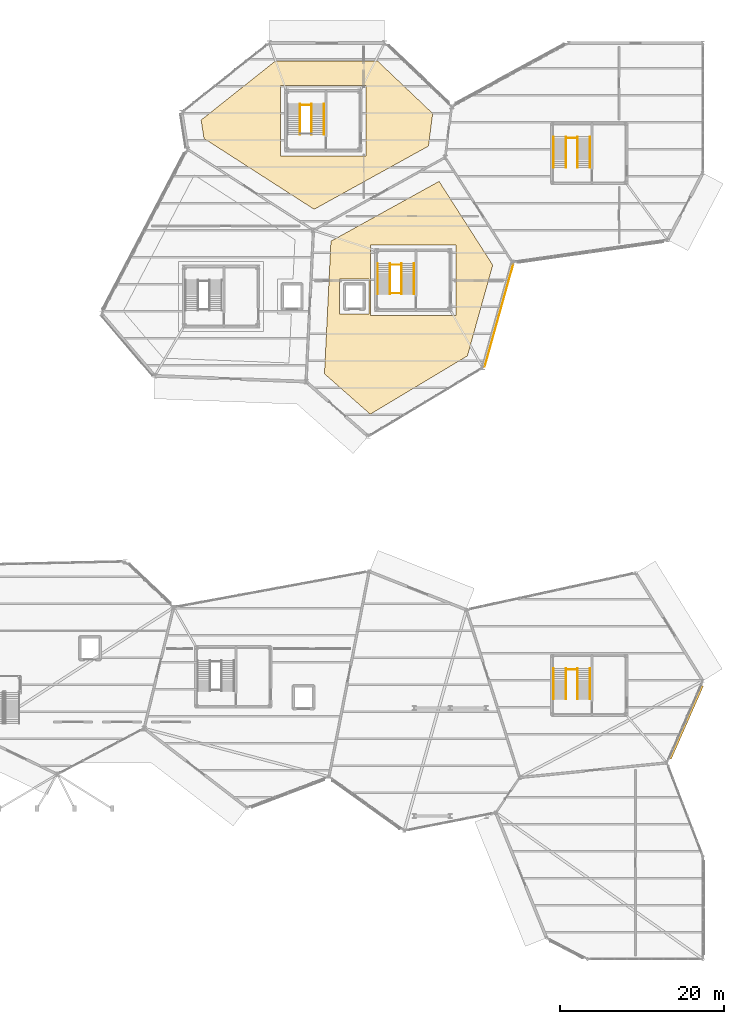
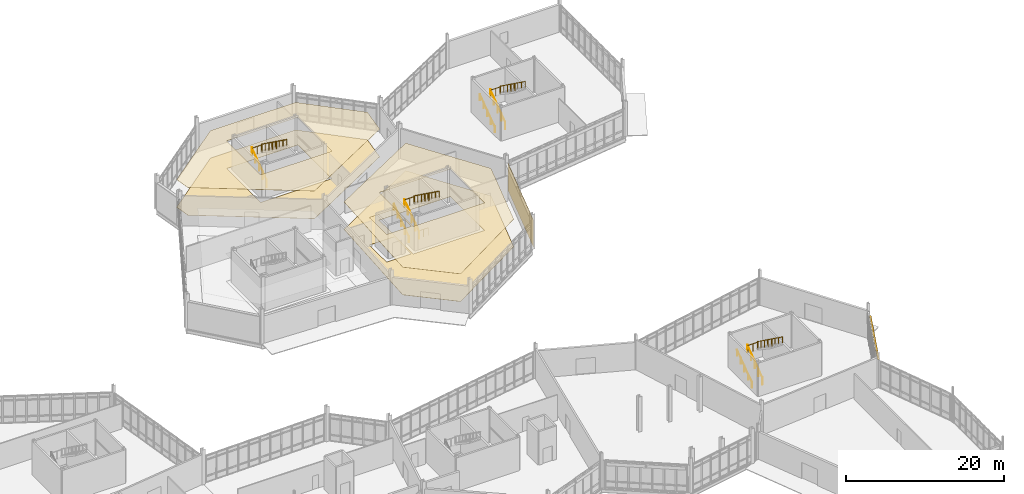
# One storey, part 113 of 113: 20 railings, 5 coverings, 1 shading device.
"""IFC4 building model written with IfcOpenShell, lengths in metres."""

import ifcopenshell
import ifcopenshell.guid

model = None  # the IFC model being written
_history = None  # IfcOwnerHistory: only IFC2X3 demands one
_inside = {}  # id of a spatial element -> (the spatial element, [elements in it])
_under = {}  # id of a project, library or spatial element -> (it, [spatial elements below it])
_declared = {}  # id of a project -> (the project, [libraries it declares])
_typed = {}  # id of a type object -> (the type object, [elements of that type])
_made_of = {}  # id of a material, layer set ... -> (it, [elements and type objects made of it])


def new_model(schema):
    """Start an empty IFC model of exactly this schema.

    Asked for "IFC4X3", IfcOpenShell would pick the latest addendum, in which some entities
    have other attributes; the version numbers below select the first issue.
    IFC2X3 requires an IfcOwnerHistory on every rooted entity: one is made here for all.
    """
    global model, _history
    if schema == "IFC4X3":
        model = ifcopenshell.file(schema_version=(4, 3, 0, 0))
    else:
        model = ifcopenshell.file(schema=schema)
    _inside.clear()
    _under.clear()
    _declared.clear()
    _typed.clear()
    _made_of.clear()
    _history = None
    if model.schema == "IFC2X3":
        org = make("IfcOrganization", Name="unknown")
        user = make(
            "IfcPersonAndOrganization",
            ThePerson=make("IfcPerson", FamilyName="unknown"),
            TheOrganization=org,
        )
        app = make(
            "IfcApplication",
            ApplicationDeveloper=org,
            Version="unknown",
            ApplicationFullName="unknown",
            ApplicationIdentifier="unknown",
        )
        _history = make(
            "IfcOwnerHistory",
            OwningUser=user,
            OwningApplication=app,
            ChangeAction="ADDED",
            CreationDate=0,
        )
    return model


def make(cls, **values):
    """One entity of the class cls with the attributes given. An attribute that is None is left unset."""
    return model.create_entity(
        cls, **{name: value for name, value in values.items() if value is not None}
    )


def rooted(cls, **values):
    """An entity with a GlobalId (a new one), such as an element, a storey or a relation."""
    return make(cls, GlobalId=ifcopenshell.guid.new(), OwnerHistory=_history, **values)


def si_unit(unit_type, name, prefix=None):
    """IfcSIUnit, for example si_unit("LENGTHUNIT", "METRE", prefix="MILLI")."""
    return make("IfcSIUnit", UnitType=unit_type, Prefix=prefix, Name=name)


def assignment(units):
    """IfcUnitAssignment: the units of a project."""
    return None if units is None else make("IfcUnitAssignment", Units=units)


def point(xyz):
    """IfcCartesianPoint."""
    return None if xyz is None else make("IfcCartesianPoint", Coordinates=xyz)


def direction(xyz):
    """IfcDirection."""
    return None if xyz is None else make("IfcDirection", DirectionRatios=xyz)


def frame(location, z_axis=None, x_axis=None):
    """IfcAxis2Placement3D, a coordinate frame: its origin and axes. An axis left out is left unset."""
    return make(
        "IfcAxis2Placement3D",
        Location=point(location),
        Axis=direction(z_axis),
        RefDirection=direction(x_axis),
    )


def frame_2d(location, x_axis=None):
    """IfcAxis2Placement2D, a coordinate frame in the plane: its origin and x axis."""
    return make(
        "IfcAxis2Placement2D", Location=point(location), RefDirection=direction(x_axis)
    )


def origin():
    """The frame at (0, 0, 0) with its axes left unset."""
    return frame((0.0, 0.0, 0.0))


def origin_2d():
    """The frame at (0, 0) in the plane with its x axis left unset."""
    return frame_2d((0.0, 0.0))


def place(relative_to, where):
    """IfcLocalPlacement: puts the frame where relative to a parent placement (None: the world)."""
    return make(
        "IfcLocalPlacement", PlacementRelTo=relative_to, RelativePlacement=where
    )


def context(
    kind, dimensions, precision=None, world=None, true_north=None, identifier=None
):
    """IfcGeometricRepresentationContext, for example the 3D "Model" context."""
    return make(
        "IfcGeometricRepresentationContext",
        ContextIdentifier=identifier,
        ContextType=kind,
        CoordinateSpaceDimension=dimensions,
        Precision=precision,
        WorldCoordinateSystem=world,
        TrueNorth=true_north,
    )


def subcontext(parent, identifier, kind, view, scale=None):
    """IfcGeometricRepresentationSubContext, for example "Body" below "Model"."""
    return make(
        "IfcGeometricRepresentationSubContext",
        ContextIdentifier=identifier,
        ContextType=kind,
        ParentContext=parent,
        TargetScale=scale,
        TargetView=view,
    )


def project(units=None, contexts=None):
    """IfcProject with its units and contexts."""
    return rooted(
        "IfcProject",
        Name="project",
        RepresentationContexts=contexts,
        UnitsInContext=assignment(units),
    )


def spatial(cls, under=None, at=None, **own):
    """A site, building, storey or space (cls), placed at a placement, below another one or the project."""
    s = rooted(cls, ObjectPlacement=at, **own)
    if under is not None:
        _under.setdefault(under.id(), (under, []))[1].append(s)
    return s


def polyline(points):
    """IfcPolyline through the points."""
    return make("IfcPolyline", Points=[point(p) for p in points])


def profile(cls, at=None, kind="AREA", **sizes):
    """A parametric profile (cls). Its sizes go by their IFC names, for example OverallWidth=200.0."""
    return make(cls, ProfileType=kind, Position=at, **sizes)


def rectangle(**sizes):
    """IfcRectangleProfileDef."""
    return profile("IfcRectangleProfileDef", **sizes)


def circle(**sizes):
    """IfcCircleProfileDef."""
    return profile("IfcCircleProfileDef", **sizes)


def outline(outer, holes=None, kind="AREA"):
    """IfcArbitraryClosedProfileDef: a profile drawn as a closed curve; with holes, ...WithVoids."""
    if holes is None:
        return make("IfcArbitraryClosedProfileDef", ProfileType=kind, OuterCurve=outer)
    return make(
        "IfcArbitraryProfileDefWithVoids",
        ProfileType=kind,
        OuterCurve=outer,
        InnerCurves=holes,
    )


def extrude(swept, where, along, depth):
    """IfcExtrudedAreaSolid: the profile swept, set in the frame where, extruded along a direction by depth."""
    return make(
        "IfcExtrudedAreaSolid",
        SweptArea=swept,
        Position=where,
        ExtrudedDirection=direction(along),
        Depth=depth,
    )


def shape(context_of_items, identifier, shape_type, items):
    """IfcShapeRepresentation: the items that make up one representation, for example the "Body"."""
    return make(
        "IfcShapeRepresentation",
        ContextOfItems=context_of_items,
        RepresentationIdentifier=identifier,
        RepresentationType=shape_type,
        Items=items,
    )


def material(Name=None, Category=None):
    """IfcMaterial."""
    return make("IfcMaterial", Name=Name, Category=Category)


def layer(
    of_material, thickness, ventilated=None, Name=None, Category=None, Priority=None
):
    """IfcMaterialLayer: one layer of a wall or slab, of a material (None: an air gap)."""
    return make(
        "IfcMaterialLayer",
        Material=of_material,
        LayerThickness=thickness,
        IsVentilated=ventilated,
        Name=Name,
        Category=Category,
        Priority=Priority,
    )


def layer_set(layers, Name=None):
    """IfcMaterialLayerSet."""
    return make("IfcMaterialLayerSet", MaterialLayers=layers, LayerSetName=Name)


def made_of(thing, what):
    """Note that an element or type object is made of a material, layer set ...; save() writes the relation."""
    if what is not None:
        _made_of.setdefault(what.id(), (what, []))[1].append(thing)
    return thing


def type_object(cls, material=None, **own):
    """A type object (cls), such as IfcWallType, which elements share."""
    return made_of(rooted(cls, **own), material)


def element(
    cls,
    number,
    at=None,
    inside=None,
    cuts=None,
    type_object=None,
    material=None,
    context=None,
    identifier="Body",
    shape_type=None,
    held_by="IfcProductDefinitionShape",
    body=None,
    shapes=None,
    **own,
):
    """One element of the class cls, such as IfcWall. Its Tag is "e" and its number.

    at: its placement. inside: the storey or other place that contains it. cuts: it is an
    opening in that element (IfcRelVoidsElement). A single representation is given by context,
    identifier, shape_type and body (its items); several are given by shapes. held_by: the class
    of the entity that holds the representations. save() writes the other relations.
    """
    e = rooted(cls, Tag="e%d" % number, ObjectPlacement=at, **own)
    if body is not None:
        shapes = [shape(context, identifier, shape_type, body)]
    if shapes is not None:
        e.Representation = make(held_by, Representations=shapes)
    if inside is not None:
        _inside.setdefault(inside.id(), (inside, []))[1].append(e)
    if cuts is not None:
        rooted(
            "IfcRelVoidsElement", RelatingBuildingElement=cuts, RelatedOpeningElement=e
        )
    if type_object is not None:
        _typed.setdefault(type_object.id(), (type_object, []))[1].append(e)
    return made_of(e, material)


def aggregate(whole, parts):
    """IfcRelAggregates: a whole, such as a stair, and the parts it consists of."""
    return rooted("IfcRelAggregates", RelatingObject=whole, RelatedObjects=parts)


def save(model, path):
    """Write the relations noted so far, then the file.

    IfcRelAggregates (storeys below a building ...), IfcRelContainedInSpatialStructure (elements
    in a storey), IfcRelDefinesByType, IfcRelAssociatesMaterial and IfcRelDeclares: one each for
    every whole, place, type object, material and project.
    """
    for whole, parts in _under.values():
        aggregate(whole, parts)
    for where, things in _inside.values():
        rooted(
            "IfcRelContainedInSpatialStructure",
            RelatedElements=things,
            RelatingStructure=where,
        )
    for kind, things in _typed.values():
        rooted("IfcRelDefinesByType", RelatedObjects=things, RelatingType=kind)
    for what, things in _made_of.values():
        rooted("IfcRelAssociatesMaterial", RelatedObjects=things, RelatingMaterial=what)
    for by, libraries in _declared.values():
        rooted("IfcRelDeclares", RelatingContext=by, RelatedDefinitions=libraries)
    model.write(path)


model = new_model("IFC4")

# Units and contexts
model_context = context("Model", 3, precision=1e-05, world=origin(), true_north=direction((0.0, 1.0)))
body_context = subcontext(model_context, "Body", "Model", "MODEL_VIEW")
ifc_project = project(units=[si_unit("LENGTHUNIT", "METRE"), si_unit("AREAUNIT", "SQUARE_METRE"), si_unit("VOLUMEUNIT", "CUBIC_METRE"), si_unit("PLANEANGLEUNIT", "RADIAN"), si_unit("MASSUNIT", "GRAM", prefix="KILO")], contexts=[model_context])

# Site, building, storey
site_placement = place(None, origin())
site = spatial("IfcSite", under=ifc_project, at=site_placement, CompositionType="ELEMENT")
building_placement = place(site_placement, origin())
building = spatial("IfcBuilding", under=site, at=building_placement, Name="Tameran Prism Museum", CompositionType="ELEMENT")
storey_placement = place(building_placement, origin())
storey = spatial("IfcBuildingStorey", under=building, at=storey_placement, Name="L00", CompositionType="ELEMENT", Elevation=0.0)

# Coverings
ifc_material_1 = material(Name="Perforated Acoustic Timber Slat Ceiling", Category="wood")
ifc_layer_1 = layer(ifc_material_1, 0.034912109375)
ifc_layer_set_1 = layer_set([ifc_layer_1])
covering_type_1 = type_object("IfcCoveringType", Name="CV-CEIL-AC", PredefinedType="CEILING", material=ifc_layer_set_1)
covering_1_placement = place(storey_placement, frame((0.0, 0.0, 4.25)))
element("IfcCovering", 1, at=covering_1_placement, inside=storey, type_object=covering_type_1, Name="Acoustic Gallery Ceiling CLG-02", PredefinedType="CEILING", context=body_context, shape_type="SweptSolid", body=[
    extrude(outline(polyline([(120.93798828125, 87.76806640625), (134.159912109375, 95.076904296875), (140.716064453125, 84.843017578125), (137.616943359375, 73.736083984375), (125.748046875, 66.614013671875), (120.14892578125, 71.550048828125), (120.93798828125, 87.76806640625)]), holes=[polyline([(125.60009765625, 78.85009765625), (125.60009765625, 83.14990234375), (122.0, 83.14990234375), (122.0, 78.85009765625), (125.60009765625, 78.85009765625)]), polyline([(136.199951171875, 87.300048828125), (125.800048828125, 87.300048828125), (125.800048828125, 78.699951171875), (136.199951171875, 78.699951171875), (136.199951171875, 87.300048828125)])]), origin(), (0.0, 0.0, 1.0), 0.034912109375),
])
covering_2_placement = place(storey_placement, frame((0.0, 0.0, 4.25)))
element("IfcCovering", 2, at=covering_2_placement, inside=storey, type_object=covering_type_1, Name="Acoustic Gallery Ceiling CLG-03", PredefinedType="CEILING", context=body_context, shape_type="SweptSolid", body=[
    extrude(outline(polyline([(105.071044921875, 102.572998046875), (114.1669921875, 109.800048828125), (126.62109375, 109.800048828125), (133.375, 103.375), (132.861083984375, 99.385986328125), (118.885009765625, 91.660888671875), (105.422119140625, 100.31591796875), (105.071044921875, 102.572998046875)]), holes=[polyline([(125.199951171875, 98.199951171875), (125.199951171875, 106.800048828125), (114.800048828125, 106.800048828125), (114.800048828125, 98.199951171875), (125.199951171875, 98.199951171875)])]), origin(), (0.0, 0.0, 1.0), 0.034912109375),
])
ifc_material_2 = material(Name="Honed Porcellanite Terrazzo Flooring")
ifc_layer_2 = layer(ifc_material_2, 0.030029296875)
ifc_layer_set_2 = layer_set([ifc_layer_2])
covering_type_2 = type_object("IfcCoveringType", Name="CV-FLR-TER", PredefinedType="FLOORING", material=ifc_layer_set_2)
covering_3_placement = place(storey_placement, origin())
element("IfcCovering", 3, at=covering_3_placement, inside=storey, type_object=covering_type_2, Name="Porcellanite Terrazzo Floor FLR-02", PredefinedType="FLOORING", context=body_context, shape_type="SweptSolid", body=[
    extrude(outline(polyline([(120.93798828125, 87.76806640625), (134.159912109375, 95.076904296875), (140.716064453125, 84.843017578125), (137.616943359375, 73.736083984375), (125.748046875, 66.614013671875), (120.14892578125, 71.550048828125), (120.93798828125, 87.76806640625)]), holes=[polyline([(125.60009765625, 78.85009765625), (125.60009765625, 83.14990234375), (122.0, 83.14990234375), (122.0, 78.85009765625), (125.60009765625, 78.85009765625)]), polyline([(136.199951171875, 87.300048828125), (125.800048828125, 87.300048828125), (125.800048828125, 78.699951171875), (136.199951171875, 78.699951171875), (136.199951171875, 87.300048828125)])]), origin(), (0.0, 0.0, 1.0), 0.030029296875),
])
covering_4_placement = place(storey_placement, origin())
element("IfcCovering", 4, at=covering_4_placement, inside=storey, type_object=covering_type_2, Name="Porcellanite Terrazzo Floor FLR-03", PredefinedType="FLOORING", context=body_context, shape_type="SweptSolid", body=[
    extrude(outline(polyline([(105.071044921875, 102.572998046875), (114.1669921875, 109.800048828125), (126.62109375, 109.800048828125), (133.375, 103.375), (132.861083984375, 99.385986328125), (118.885009765625, 91.660888671875), (105.422119140625, 100.31591796875), (105.071044921875, 102.572998046875)]), holes=[polyline([(125.199951171875, 98.199951171875), (125.199951171875, 106.800048828125), (114.800048828125, 106.800048828125), (114.800048828125, 98.199951171875), (125.199951171875, 98.199951171875)])]), origin(), (0.0, 0.0, 1.0), 0.030029296875),
])
ifc_material_3 = material(Name="White Fluted Mineral Precast GRC", Category="concrete")
ifc_layer_3 = layer(ifc_material_3, 0.044921875)
ifc_layer_set_3 = layer_set([ifc_layer_3])
covering_type_3 = type_object("IfcCoveringType", Name="CV-FLUTE-WHT", PredefinedType="CLADDING", material=ifc_layer_set_3)
covering_5_placement = place(storey_placement, frame((143.218994140625, 84.91796875, 0.050048828125), z_axis=(0.0, 0.0, 1.0), x_axis=(-0.268857839587, -0.963179870062, 0.0)))
element("IfcCovering", 5, at=covering_5_placement, inside=storey, type_object=covering_type_3, Name="Vertical Fluted White Precast Panel CL-0002", PredefinedType="CLADDING", context=body_context, shape_type="SweptSolid", body=[
    extrude(rectangle(XDim=12.9736328125, YDim=0.044921875, at=frame_2d((6.48681640625, 0.0))), origin(), (0.0, 0.0, 1.0), 4.119873046875),
])

# Railings
ifc_material_4 = material(Name="Marine Stainless Steel 316", Category="steel")
ifc_layer_4 = layer(ifc_material_4, 0.054931640625)
ifc_layer_set_4 = layer_set([ifc_layer_4])
railing_type_1 = type_object("IfcRailingType", Name="RL-GR-1120", PredefinedType="GUARDRAIL", material=ifc_layer_set_4)
railing_1_placement = place(storey_placement, frame((128.18994140625, 81.39990234375, 0.0)))
element("IfcRailing", 6, at=railing_1_placement, inside=storey, type_object=railing_type_1, Name="Stair Well Slot Guard GR-S032", PredefinedType="GUARDRAIL", context=body_context, shape_type="SweptSolid", body=[
    extrude(circle(Radius=0.02392578125, at=origin_2d()), frame((0.0, 0.0, 1.1259765625), z_axis=(1.0, 0.0, 0.0), x_axis=(0.0, 1.0, 0.0)), (0.0, 0.0, 1.0), 1.3701171875),
    extrude(circle(Radius=0.02099609375, at=origin_2d()), origin(), (0.0, 0.0, 1.0), 1.101806640625),
    extrude(circle(Radius=0.02099609375, at=origin_2d()), frame((0.68505859375, 0.0, 0.0)), (0.0, 0.0, 1.0), 1.101806640625),
    extrude(circle(Radius=0.02099609375, at=origin_2d()), frame((1.3701171875, 0.0, 0.0)), (0.0, 0.0, 1.0), 1.101806640625),
])
railing_2_placement = place(storey_placement, frame((128.169921875, 81.280029296875, 0.0)))
element("IfcRailing", 7, at=railing_2_placement, inside=storey, type_object=railing_type_1, Name="Stair Well Guardrail GR-S033", PredefinedType="GUARDRAIL", context=body_context, shape_type="SweptSolid", body=[
    extrude(circle(Radius=0.02392578125, at=origin_2d()), frame((0.0, 0.0, 1.1259765625), z_axis=(0.0, 0.811539352079, 0.584297766578), x_axis=(-1.0, 0.0, 0.0)), (0.0, 0.0, 1.0), 4.620849609375),
    extrude(circle(Radius=0.02099609375, at=origin_2d()), origin(), (0.0, 0.0, 1.0), 1.101806640625),
    extrude(circle(Radius=0.02099609375, at=origin_2d()), frame((0.0, 0.9375, 0.675048828125)), (0.0, 0.0, 1.0), 1.101806640625),
    extrude(circle(Radius=0.02099609375, at=origin_2d()), frame((0.0, 1.875, 1.35009765625)), (0.0, 0.0, 1.0), 1.101806640625),
    extrude(circle(Radius=0.02099609375, at=origin_2d()), frame((0.0, 2.8125, 2.02490234375)), (0.0, 0.0, 1.0), 1.101806640625),
    extrude(circle(Radius=0.02099609375, at=origin_2d()), frame((0.0, 3.75, 2.699951171875)), (0.0, 0.0, 1.0), 1.101806640625),
])
railing_3_placement = place(storey_placement, frame((129.580078125, 85.030029296875, 2.699951171875)))
element("IfcRailing", 8, at=railing_3_placement, inside=storey, type_object=railing_type_1, Name="Stair Well Guardrail GR-S034", PredefinedType="GUARDRAIL", context=body_context, shape_type="SweptSolid", body=[
    extrude(circle(Radius=0.02392578125, at=origin_2d()), frame((0.0, 0.0, 1.1259765625), z_axis=(0.0, -0.811539352079, 0.584297766578), x_axis=(1.0, 0.0, 0.0)), (0.0, 0.0, 1.0), 4.620849609375),
    extrude(circle(Radius=0.02099609375, at=origin_2d()), origin(), (0.0, 0.0, 1.0), 1.101806640625),
    extrude(circle(Radius=0.02099609375, at=origin_2d()), frame((0.0, -0.9375, 0.675048828125)), (0.0, 0.0, 1.0), 1.101806640625),
    extrude(circle(Radius=0.02099609375, at=origin_2d()), frame((0.0, -1.875, 1.35009765625)), (0.0, 0.0, 1.0), 1.101806640625),
    extrude(circle(Radius=0.02099609375, at=origin_2d()), frame((0.0, -2.8125, 2.02490234375)), (0.0, 0.0, 1.0), 1.101806640625),
    extrude(circle(Radius=0.02099609375, at=origin_2d()), frame((0.0, -3.75, 2.699951171875)), (0.0, 0.0, 1.0), 1.101806640625),
])
railing_4_placement = place(storey_placement, frame((128.14990234375, 84.889892578125, 2.699951171875)))
element("IfcRailing", 9, at=railing_4_placement, inside=storey, type_object=railing_type_1, Name="Landing Well Guardrail GR-S035", PredefinedType="GUARDRAIL", context=body_context, shape_type="SweptSolid", body=[
    extrude(circle(Radius=0.02392578125, at=origin_2d()), frame((0.0, 0.0, 1.1259765625), z_axis=(1.0, 0.0, 0.0), x_axis=(0.0, 1.0, 0.0)), (0.0, 0.0, 1.0), 1.4501953125),
    extrude(circle(Radius=0.02099609375, at=origin_2d()), origin(), (0.0, 0.0, 1.0), 1.101806640625),
    extrude(circle(Radius=0.02099609375, at=origin_2d()), frame((0.72509765625, 0.0, 0.0)), (0.0, 0.0, 1.0), 1.101806640625),
    extrude(circle(Radius=0.02099609375, at=origin_2d()), frame((1.4501953125, 0.0, 0.0)), (0.0, 0.0, 1.0), 1.101806640625),
])
railing_5_placement = place(storey_placement, frame((117.169921875, 100.780029296875, 0.0)))
element("IfcRailing", 10, at=railing_5_placement, inside=storey, type_object=railing_type_1, Name="Stair Well Guardrail GR-S061", PredefinedType="GUARDRAIL", context=body_context, shape_type="SweptSolid", body=[
    extrude(circle(Radius=0.02392578125, at=origin_2d()), frame((0.0, 0.0, 1.1259765625), z_axis=(0.0, 0.811539352079, 0.584297766578), x_axis=(-1.0, 0.0, 0.0)), (0.0, 0.0, 1.0), 4.620849609375),
    extrude(circle(Radius=0.02099609375, at=origin_2d()), origin(), (0.0, 0.0, 1.0), 1.101806640625),
    extrude(circle(Radius=0.02099609375, at=origin_2d()), frame((0.0, 0.9375, 0.675048828125)), (0.0, 0.0, 1.0), 1.101806640625),
    extrude(circle(Radius=0.02099609375, at=origin_2d()), frame((0.0, 1.875, 1.35009765625)), (0.0, 0.0, 1.0), 1.101806640625),
    extrude(circle(Radius=0.02099609375, at=origin_2d()), frame((0.0, 2.8125, 2.02490234375)), (0.0, 0.0, 1.0), 1.101806640625),
    extrude(circle(Radius=0.02099609375, at=origin_2d()), frame((0.0, 3.75, 2.699951171875)), (0.0, 0.0, 1.0), 1.101806640625),
])
railing_6_placement = place(storey_placement, frame((118.580078125, 104.530029296875, 2.699951171875)))
element("IfcRailing", 11, at=railing_6_placement, inside=storey, type_object=railing_type_1, Name="Stair Well Guardrail GR-S062", PredefinedType="GUARDRAIL", context=body_context, shape_type="SweptSolid", body=[
    extrude(circle(Radius=0.02392578125, at=origin_2d()), frame((0.0, 0.0, 1.1259765625), z_axis=(0.0, -0.811539352079, 0.584297766578), x_axis=(1.0, 0.0, 0.0)), (0.0, 0.0, 1.0), 4.620849609375),
    extrude(circle(Radius=0.02099609375, at=origin_2d()), origin(), (0.0, 0.0, 1.0), 1.101806640625),
    extrude(circle(Radius=0.02099609375, at=origin_2d()), frame((0.0, -0.9375, 0.675048828125)), (0.0, 0.0, 1.0), 1.101806640625),
    extrude(circle(Radius=0.02099609375, at=origin_2d()), frame((0.0, -1.875, 1.35009765625)), (0.0, 0.0, 1.0), 1.101806640625),
    extrude(circle(Radius=0.02099609375, at=origin_2d()), frame((0.0, -2.8125, 2.02490234375)), (0.0, 0.0, 1.0), 1.101806640625),
    extrude(circle(Radius=0.02099609375, at=origin_2d()), frame((0.0, -3.75, 2.699951171875)), (0.0, 0.0, 1.0), 1.101806640625),
])
railing_7_placement = place(storey_placement, frame((117.14990234375, 104.389892578125, 2.699951171875)))
element("IfcRailing", 12, at=railing_7_placement, inside=storey, type_object=railing_type_1, Name="Landing Well Guardrail GR-S063", PredefinedType="GUARDRAIL", context=body_context, shape_type="SweptSolid", body=[
    extrude(circle(Radius=0.02392578125, at=origin_2d()), frame((0.0, 0.0, 1.1259765625), z_axis=(1.0, 0.0, 0.0), x_axis=(0.0, 1.0, 0.0)), (0.0, 0.0, 1.0), 1.4501953125),
    extrude(circle(Radius=0.02099609375, at=origin_2d()), origin(), (0.0, 0.0, 1.0), 1.101806640625),
    extrude(circle(Radius=0.02099609375, at=origin_2d()), frame((0.72509765625, 0.0, 0.0)), (0.0, 0.0, 1.0), 1.101806640625),
    extrude(circle(Radius=0.02099609375, at=origin_2d()), frame((1.4501953125, 0.0, 0.0)), (0.0, 0.0, 1.0), 1.101806640625),
])
railing_8_placement = place(storey_placement, frame((149.669921875, 96.780029296875, 0.0)))
element("IfcRailing", 13, at=railing_8_placement, inside=storey, type_object=railing_type_1, Name="Stair Well Guardrail GR-S177", PredefinedType="GUARDRAIL", context=body_context, shape_type="SweptSolid", body=[
    extrude(circle(Radius=0.02392578125, at=origin_2d()), frame((0.0, 0.0, 1.1259765625), z_axis=(0.0, 0.811539352079, 0.584297766578), x_axis=(-1.0, 0.0, 0.0)), (0.0, 0.0, 1.0), 4.620849609375),
    extrude(circle(Radius=0.02099609375, at=origin_2d()), origin(), (0.0, 0.0, 1.0), 1.101806640625),
    extrude(circle(Radius=0.02099609375, at=origin_2d()), frame((0.0, 0.9375, 0.675048828125)), (0.0, 0.0, 1.0), 1.101806640625),
    extrude(circle(Radius=0.02099609375, at=origin_2d()), frame((0.0, 1.875, 1.35009765625)), (0.0, 0.0, 1.0), 1.101806640625),
    extrude(circle(Radius=0.02099609375, at=origin_2d()), frame((0.0, 2.8125, 2.02490234375)), (0.0, 0.0, 1.0), 1.101806640625),
    extrude(circle(Radius=0.02099609375, at=origin_2d()), frame((0.0, 3.75, 2.699951171875)), (0.0, 0.0, 1.0), 1.101806640625),
])
railing_9_placement = place(storey_placement, frame((151.080078125, 100.530029296875, 2.699951171875)))
element("IfcRailing", 14, at=railing_9_placement, inside=storey, type_object=railing_type_1, Name="Stair Well Guardrail GR-S178", PredefinedType="GUARDRAIL", context=body_context, shape_type="SweptSolid", body=[
    extrude(circle(Radius=0.02392578125, at=origin_2d()), frame((0.0, 0.0, 1.1259765625), z_axis=(0.0, -0.811539352079, 0.584297766578), x_axis=(1.0, 0.0, 0.0)), (0.0, 0.0, 1.0), 4.620849609375),
    extrude(circle(Radius=0.02099609375, at=origin_2d()), origin(), (0.0, 0.0, 1.0), 1.101806640625),
    extrude(circle(Radius=0.02099609375, at=origin_2d()), frame((0.0, -0.9375, 0.675048828125)), (0.0, 0.0, 1.0), 1.101806640625),
    extrude(circle(Radius=0.02099609375, at=origin_2d()), frame((0.0, -1.875, 1.35009765625)), (0.0, 0.0, 1.0), 1.101806640625),
    extrude(circle(Radius=0.02099609375, at=origin_2d()), frame((0.0, -2.8125, 2.02490234375)), (0.0, 0.0, 1.0), 1.101806640625),
    extrude(circle(Radius=0.02099609375, at=origin_2d()), frame((0.0, -3.75, 2.699951171875)), (0.0, 0.0, 1.0), 1.101806640625),
])
railing_10_placement = place(storey_placement, frame((149.64990234375, 100.389892578125, 2.699951171875)))
element("IfcRailing", 15, at=railing_10_placement, inside=storey, type_object=railing_type_1, Name="Landing Well Guardrail GR-S179", PredefinedType="GUARDRAIL", context=body_context, shape_type="SweptSolid", body=[
    extrude(circle(Radius=0.02392578125, at=origin_2d()), frame((0.0, 0.0, 1.1259765625), z_axis=(1.0, 0.0, 0.0), x_axis=(0.0, 1.0, 0.0)), (0.0, 0.0, 1.0), 1.4501953125),
    extrude(circle(Radius=0.02099609375, at=origin_2d()), origin(), (0.0, 0.0, 1.0), 1.101806640625),
    extrude(circle(Radius=0.02099609375, at=origin_2d()), frame((0.72509765625, 0.0, 0.0)), (0.0, 0.0, 1.0), 1.101806640625),
    extrude(circle(Radius=0.02099609375, at=origin_2d()), frame((1.4501953125, 0.0, 0.0)), (0.0, 0.0, 1.0), 1.101806640625),
])
railing_11_placement = place(storey_placement, frame((149.669921875, 31.780029296875, 0.0)))
element("IfcRailing", 16, at=railing_11_placement, inside=storey, type_object=railing_type_1, Name="Stair Well Guardrail GR-S189", PredefinedType="GUARDRAIL", context=body_context, shape_type="SweptSolid", body=[
    extrude(circle(Radius=0.02392578125, at=origin_2d()), frame((0.0, 0.0, 1.1259765625), z_axis=(0.0, 0.811539352079, 0.584297766578), x_axis=(-1.0, 0.0, 0.0)), (0.0, 0.0, 1.0), 4.620849609375),
    extrude(circle(Radius=0.02099609375, at=origin_2d()), origin(), (0.0, 0.0, 1.0), 1.101806640625),
    extrude(circle(Radius=0.02099609375, at=origin_2d()), frame((0.0, 0.9375, 0.675048828125)), (0.0, 0.0, 1.0), 1.101806640625),
    extrude(circle(Radius=0.02099609375, at=origin_2d()), frame((0.0, 1.875, 1.35009765625)), (0.0, 0.0, 1.0), 1.101806640625),
    extrude(circle(Radius=0.02099609375, at=origin_2d()), frame((0.0, 2.8125, 2.02490234375)), (0.0, 0.0, 1.0), 1.101806640625),
    extrude(circle(Radius=0.02099609375, at=origin_2d()), frame((0.0, 3.75, 2.699951171875)), (0.0, 0.0, 1.0), 1.101806640625),
])
railing_12_placement = place(storey_placement, frame((151.080078125, 35.530029296875, 2.699951171875)))
element("IfcRailing", 17, at=railing_12_placement, inside=storey, type_object=railing_type_1, Name="Stair Well Guardrail GR-S190", PredefinedType="GUARDRAIL", context=body_context, shape_type="SweptSolid", body=[
    extrude(circle(Radius=0.02392578125, at=origin_2d()), frame((0.0, 0.0, 1.1259765625), z_axis=(0.0, -0.811539352079, 0.584297766578), x_axis=(1.0, 0.0, 0.0)), (0.0, 0.0, 1.0), 4.620849609375),
    extrude(circle(Radius=0.02099609375, at=origin_2d()), origin(), (0.0, 0.0, 1.0), 1.101806640625),
    extrude(circle(Radius=0.02099609375, at=origin_2d()), frame((0.0, -0.9375, 0.675048828125)), (0.0, 0.0, 1.0), 1.101806640625),
    extrude(circle(Radius=0.02099609375, at=origin_2d()), frame((0.0, -1.875, 1.35009765625)), (0.0, 0.0, 1.0), 1.101806640625),
    extrude(circle(Radius=0.02099609375, at=origin_2d()), frame((0.0, -2.8125, 2.02490234375)), (0.0, 0.0, 1.0), 1.101806640625),
    extrude(circle(Radius=0.02099609375, at=origin_2d()), frame((0.0, -3.75, 2.699951171875)), (0.0, 0.0, 1.0), 1.101806640625),
])
railing_13_placement = place(storey_placement, frame((149.64990234375, 35.389892578125, 2.699951171875)))
element("IfcRailing", 18, at=railing_13_placement, inside=storey, type_object=railing_type_1, Name="Landing Well Guardrail GR-S191", PredefinedType="GUARDRAIL", context=body_context, shape_type="SweptSolid", body=[
    extrude(circle(Radius=0.02392578125, at=origin_2d()), frame((0.0, 0.0, 1.1259765625), z_axis=(1.0, 0.0, 0.0), x_axis=(0.0, 1.0, 0.0)), (0.0, 0.0, 1.0), 1.4501953125),
    extrude(circle(Radius=0.02099609375, at=origin_2d()), origin(), (0.0, 0.0, 1.0), 1.101806640625),
    extrude(circle(Radius=0.02099609375, at=origin_2d()), frame((0.72509765625, 0.0, 0.0)), (0.0, 0.0, 1.0), 1.101806640625),
    extrude(circle(Radius=0.02099609375, at=origin_2d()), frame((1.4501953125, 0.0, 0.0)), (0.0, 0.0, 1.0), 1.101806640625),
])
ifc_material_5 = material(Name="Brushed Stainless Steel 316", Category="steel")
ifc_layer_5 = layer(ifc_material_5, 0.048095703125)
ifc_layer_set_5 = layer_set([ifc_layer_5])
railing_type_2 = type_object("IfcRailingType", Name="RL-HR-920", PredefinedType="HANDRAIL", material=ifc_layer_set_5)
railing_14_placement = place(storey_placement, frame((126.659912109375, 81.280029296875, 0.0)))
element("IfcRailing", 19, at=railing_14_placement, inside=storey, type_object=railing_type_2, Name="Stair Flight Handrail HR-017", PredefinedType="HANDRAIL", context=body_context, shape_type="SweptSolid", body=[
    extrude(circle(Radius=0.02392578125, at=origin_2d()), frame((0.0, 0.0, 0.89599609375), z_axis=(0.0, 0.811539352079, 0.584297766578), x_axis=(-1.0, 0.0, 0.0)), (0.0, 0.0, 1.0), 4.620849609375),
    extrude(circle(Radius=0.02099609375, at=origin_2d()), origin(), (0.0, 0.0, 1.0), 0.871826171875),
    extrude(circle(Radius=0.02099609375, at=origin_2d()), frame((0.0, 0.9375, 0.675048828125)), (0.0, 0.0, 1.0), 0.871826171875),
    extrude(circle(Radius=0.02099609375, at=origin_2d()), frame((0.0, 1.875, 1.35009765625)), (0.0, 0.0, 1.0), 0.871826171875),
    extrude(circle(Radius=0.02099609375, at=origin_2d()), frame((0.0, 2.8125, 2.02490234375)), (0.0, 0.0, 1.0), 0.871826171875),
    extrude(circle(Radius=0.02099609375, at=origin_2d()), frame((0.0, 3.75, 2.699951171875)), (0.0, 0.0, 1.0), 0.871826171875),
])
for number, where, name in (
    (20, (131.090087890625, 85.030029296875, 2.699951171875), "Stair Flight Handrail HR-018"),
    (21, (120.090087890625, 104.530029296875, 2.699951171875), "Stair Flight Handrail HR-032"),
):
    element("IfcRailing", number, at=place(storey_placement, frame(where)), inside=storey, type_object=railing_type_2, Name=name, PredefinedType="HANDRAIL", context=body_context, shape_type="SweptSolid", body=[
        extrude(circle(Radius=0.02392578125, at=origin_2d()), frame((0.0, 0.0, 0.89599609375), z_axis=(0.0, -0.811539352079, 0.584297766578), x_axis=(1.0, 0.0, 0.0)), (0.0, 0.0, 1.0), 4.620849609375),
        extrude(circle(Radius=0.02099609375, at=origin_2d()), origin(), (0.0, 0.0, 1.0), 0.871826171875),
        extrude(circle(Radius=0.02099609375, at=origin_2d()), frame((0.0, -0.9375, 0.675048828125)), (0.0, 0.0, 1.0), 0.871826171875),
        extrude(circle(Radius=0.02099609375, at=origin_2d()), frame((0.0, -1.875, 1.35009765625)), (0.0, 0.0, 1.0), 0.871826171875),
        extrude(circle(Radius=0.02099609375, at=origin_2d()), frame((0.0, -2.8125, 2.02490234375)), (0.0, 0.0, 1.0), 0.871826171875),
        extrude(circle(Radius=0.02099609375, at=origin_2d()), frame((0.0, -3.75, 2.699951171875)), (0.0, 0.0, 1.0), 0.871826171875),
    ])
railing_15_placement = place(storey_placement, frame((148.159912109375, 96.780029296875, 0.0)))
element("IfcRailing", 22, at=railing_15_placement, inside=storey, type_object=railing_type_2, Name="Stair Flight Handrail HR-089", PredefinedType="HANDRAIL", context=body_context, shape_type="SweptSolid", body=[
    extrude(circle(Radius=0.02392578125, at=origin_2d()), frame((0.0, 0.0, 0.89599609375), z_axis=(0.0, 0.811539352079, 0.584297766578), x_axis=(-1.0, 0.0, 0.0)), (0.0, 0.0, 1.0), 4.620849609375),
    extrude(circle(Radius=0.02099609375, at=origin_2d()), origin(), (0.0, 0.0, 1.0), 0.871826171875),
    extrude(circle(Radius=0.02099609375, at=origin_2d()), frame((0.0, 0.9375, 0.675048828125)), (0.0, 0.0, 1.0), 0.871826171875),
    extrude(circle(Radius=0.02099609375, at=origin_2d()), frame((0.0, 1.875, 1.35009765625)), (0.0, 0.0, 1.0), 0.871826171875),
    extrude(circle(Radius=0.02099609375, at=origin_2d()), frame((0.0, 2.8125, 2.02490234375)), (0.0, 0.0, 1.0), 0.871826171875),
    extrude(circle(Radius=0.02099609375, at=origin_2d()), frame((0.0, 3.75, 2.699951171875)), (0.0, 0.0, 1.0), 0.871826171875),
])
railing_16_placement = place(storey_placement, frame((152.590087890625, 100.530029296875, 2.699951171875)))
element("IfcRailing", 23, at=railing_16_placement, inside=storey, type_object=railing_type_2, Name="Stair Flight Handrail HR-090", PredefinedType="HANDRAIL", context=body_context, shape_type="SweptSolid", body=[
    extrude(circle(Radius=0.02392578125, at=origin_2d()), frame((0.0, 0.0, 0.89599609375), z_axis=(0.0, -0.811539352079, 0.584297766578), x_axis=(1.0, 0.0, 0.0)), (0.0, 0.0, 1.0), 4.620849609375),
    extrude(circle(Radius=0.02099609375, at=origin_2d()), origin(), (0.0, 0.0, 1.0), 0.871826171875),
    extrude(circle(Radius=0.02099609375, at=origin_2d()), frame((0.0, -0.9375, 0.675048828125)), (0.0, 0.0, 1.0), 0.871826171875),
    extrude(circle(Radius=0.02099609375, at=origin_2d()), frame((0.0, -1.875, 1.35009765625)), (0.0, 0.0, 1.0), 0.871826171875),
    extrude(circle(Radius=0.02099609375, at=origin_2d()), frame((0.0, -2.8125, 2.02490234375)), (0.0, 0.0, 1.0), 0.871826171875),
    extrude(circle(Radius=0.02099609375, at=origin_2d()), frame((0.0, -3.75, 2.699951171875)), (0.0, 0.0, 1.0), 0.871826171875),
])
railing_17_placement = place(storey_placement, frame((148.159912109375, 31.780029296875, 0.0)))
element("IfcRailing", 24, at=railing_17_placement, inside=storey, type_object=railing_type_2, Name="Stair Flight Handrail HR-095", PredefinedType="HANDRAIL", context=body_context, shape_type="SweptSolid", body=[
    extrude(circle(Radius=0.02392578125, at=origin_2d()), frame((0.0, 0.0, 0.89599609375), z_axis=(0.0, 0.811539352079, 0.584297766578), x_axis=(-1.0, 0.0, 0.0)), (0.0, 0.0, 1.0), 4.620849609375),
    extrude(circle(Radius=0.02099609375, at=origin_2d()), origin(), (0.0, 0.0, 1.0), 0.871826171875),
    extrude(circle(Radius=0.02099609375, at=origin_2d()), frame((0.0, 0.9375, 0.675048828125)), (0.0, 0.0, 1.0), 0.871826171875),
    extrude(circle(Radius=0.02099609375, at=origin_2d()), frame((0.0, 1.875, 1.35009765625)), (0.0, 0.0, 1.0), 0.871826171875),
    extrude(circle(Radius=0.02099609375, at=origin_2d()), frame((0.0, 2.8125, 2.02490234375)), (0.0, 0.0, 1.0), 0.871826171875),
    extrude(circle(Radius=0.02099609375, at=origin_2d()), frame((0.0, 3.75, 2.699951171875)), (0.0, 0.0, 1.0), 0.871826171875),
])
railing_18_placement = place(storey_placement, frame((152.590087890625, 35.530029296875, 2.699951171875)))
element("IfcRailing", 25, at=railing_18_placement, inside=storey, type_object=railing_type_2, Name="Stair Flight Handrail HR-096", PredefinedType="HANDRAIL", context=body_context, shape_type="SweptSolid", body=[
    extrude(circle(Radius=0.02392578125, at=origin_2d()), frame((0.0, 0.0, 0.89599609375), z_axis=(0.0, -0.811539352079, 0.584297766578), x_axis=(1.0, 0.0, 0.0)), (0.0, 0.0, 1.0), 4.620849609375),
    extrude(circle(Radius=0.02099609375, at=origin_2d()), origin(), (0.0, 0.0, 1.0), 0.871826171875),
    extrude(circle(Radius=0.02099609375, at=origin_2d()), frame((0.0, -0.9375, 0.675048828125)), (0.0, 0.0, 1.0), 0.871826171875),
    extrude(circle(Radius=0.02099609375, at=origin_2d()), frame((0.0, -1.875, 1.35009765625)), (0.0, 0.0, 1.0), 0.871826171875),
    extrude(circle(Radius=0.02099609375, at=origin_2d()), frame((0.0, -2.8125, 2.02490234375)), (0.0, 0.0, 1.0), 0.871826171875),
    extrude(circle(Radius=0.02099609375, at=origin_2d()), frame((0.0, -3.75, 2.699951171875)), (0.0, 0.0, 1.0), 0.871826171875),
])

# Shading device
ifc_material_6 = material(Name="Anodised Aluminium Alloy 6063-T6", Category="aluminium")
ifc_layer_6 = layer(ifc_material_6, 0.050048828125)
ifc_layer_set_6 = layer_set([ifc_layer_6])
shading_device_type = type_object("IfcShadingDeviceType", Name="SH-LOUV-300", PredefinedType="SHUTTER", material=ifc_layer_set_6)
shading_device_placement = place(storey_placement, frame((164.376953125, 28.955078125, 3.739990234375), z_axis=(0.0, 0.0, 1.0), x_axis=(-0.402746689859, -0.915311479119, 0.0)))
element("IfcShadingDevice", 26, at=shading_device_placement, inside=storey, type_object=shading_device_type, Name="Monsoon Storm Louvre SLV-017", PredefinedType="SHUTTER", context=body_context, shape_type="SweptSolid", body=[
    extrude(rectangle(XDim=9.764892578125, YDim=0.260009765625, at=origin_2d()), origin(), (0.0, 0.0, 1.0), 0.06005859375),
])

save(model, "model.ifc")
